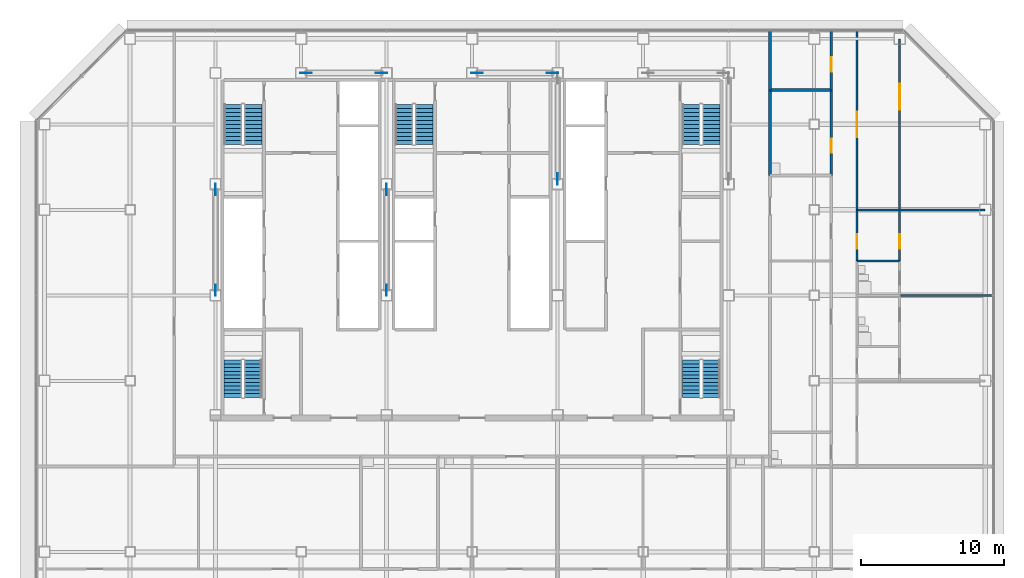
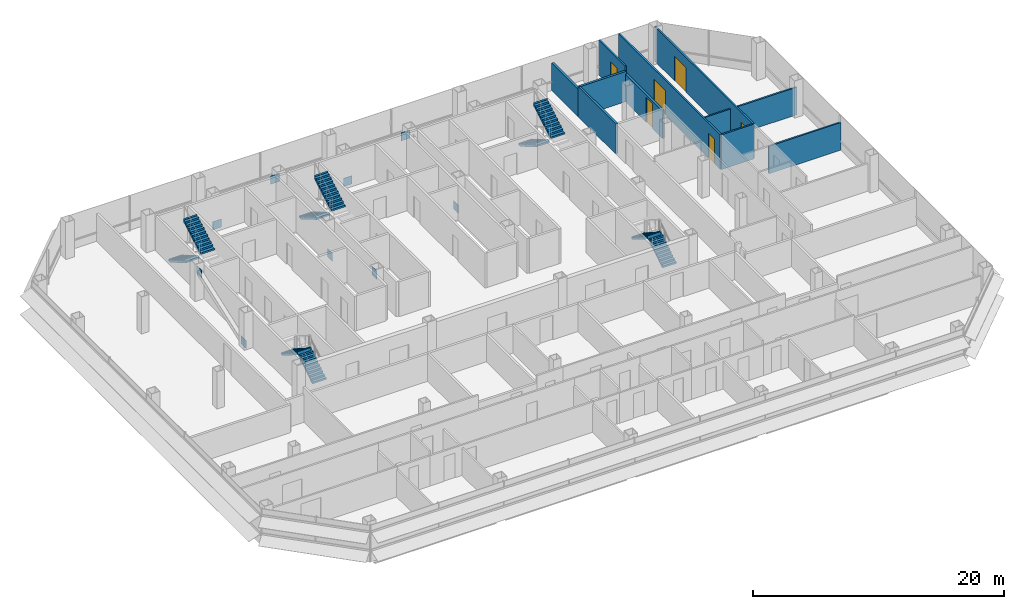
# One storey, part 23 of 26: 10 stair flights, 10 walls, 9 discrete accessories, 6 doors, 6 openings, 5 elements without a shape of their own.
"""IFC4 building model written with IfcOpenShell, lengths in metres."""

from ifc_helpers import new_model, si_unit, direction, frame, frame_2d, origin, origin_2d, place, context, subcontext, project, spatial, polyline, rectangle, outline, extrude, material, layer, layer_set, type_object, element, fill, aggregate, save


model = new_model("IFC4")

# Units and contexts
model_context = context("Model", 3, precision=1e-05, world=origin(), true_north=direction((0.0, 1.0)))
body_context = subcontext(model_context, "Body", "Model", "MODEL_VIEW")
ifc_project = project(units=[si_unit("LENGTHUNIT", "METRE"), si_unit("AREAUNIT", "SQUARE_METRE"), si_unit("VOLUMEUNIT", "CUBIC_METRE"), si_unit("PLANEANGLEUNIT", "RADIAN"), si_unit("MASSUNIT", "GRAM", prefix="KILO")], contexts=[model_context])

# Site, building, storey
site_placement = place(None, origin())
site = spatial("IfcSite", under=ifc_project, at=site_placement, CompositionType="ELEMENT")
building_placement = place(site_placement, origin())
building = spatial("IfcBuilding", under=site, at=building_placement, Name="Sorahane Residences", CompositionType="ELEMENT")
storey_placement = place(building_placement, frame((0.0, 0.0, 110.60009765625)))
storey = spatial("IfcBuildingStorey", under=building, at=storey_placement, Name="L24", CompositionType="ELEMENT", Elevation=110.60009765625)

# Walls
ifc_material_1 = material(Name="Concrete blockwork C20 wall", Category="masonry")
ifc_layer_1 = layer(ifc_material_1, 0.199951171875)
ifc_layer_set_1 = layer_set([ifc_layer_1], Name="Corridor wall 200 EI 120")
wall_type_1 = type_object("IfcWallType", Name="Corridor wall 200 EI 120", PredefinedType="SOLIDWALL", material=ifc_layer_set_1)
wall_1_placement = place(storey_placement, frame((44.89990234375, 44.39990234375, 0.0), z_axis=(0.0, 0.0, 1.0), x_axis=(0.0, 1.0, 0.0)))
element("IfcWall", 1, at=wall_1_placement, inside=storey, type_object=wall_type_1, Name="L24 corridor wall", PredefinedType="SOLIDWALL", context=body_context, shape_type="SweptSolid", body=[
    extrude(rectangle(XDim=4.2001953125, YDim=0.199951171875, at=frame_2d((2.10009765625, 0.0))), origin(), (0.0, 0.0, 1.0), 2.679931640625),
])
ifc_material_2 = material(Name="Concrete blockwork C20 wall", Category="masonry")
ifc_layer_2 = layer(ifc_material_2, 0.199951171875)
ifc_layer_set_2 = layer_set([ifc_layer_2], Name="Kitchen wall 200 EI 180")
wall_type_2 = type_object("IfcWallType", Name="Kitchen wall 200 EI 180", PredefinedType="SOLIDWALL", material=ifc_layer_set_2)
wall_2_placement = place(storey_placement, frame((44.89990234375, 38.39990234375, 0.0), z_axis=(0.0, 0.0, 1.0), x_axis=(0.0, 1.0, 0.0)))
element("IfcWall", 2, at=wall_2_placement, inside=storey, type_object=wall_type_2, Name="L24 kitchen wall", PredefinedType="SOLIDWALL", context=body_context, shape_type="SweptSolid", body=[
    extrude(rectangle(XDim=6.0, YDim=0.199951171875, at=frame_2d((3.0, 0.0))), origin(), (0.0, 0.0, 1.0), 2.929931640625),
])

# Wall, opening, door
wall_3_placement = place(storey_placement, frame((49.199951171875, 38.39990234375, 0.0), z_axis=(0.0, 0.0, 1.0), x_axis=(0.0, 1.0, 0.0)))
wall_3 = element("IfcWall", 3, at=wall_3_placement, inside=storey, type_object=wall_type_2, Name="L24 kitchen wall", PredefinedType="SOLIDWALL", context=body_context, shape_type="SweptSolid", body=[
    extrude(rectangle(XDim=6.0, YDim=0.199951171875, at=frame_2d((3.0, 0.0))), origin(), (0.0, 0.0, 1.0), 2.679931640625),
])
opening_1_placement = place(wall_3_placement, frame((1.60009765625, 0.0, 0.0)))
opening_1 = element("IfcOpeningElement", 4, at=opening_1_placement, cuts=wall_3, Name="Opening L24-33", PredefinedType="OPENING", context=body_context, shape_type="SweptSolid", body=[
    extrude(rectangle(XDim=1.0, YDim=2.39990234375, at=frame_2d((0.5, 1.199951171875))), frame((0.0, 0.10986328125, 0.0), z_axis=(0.0, -1.0, 0.0), x_axis=(1.0, 0.0, 0.0)), (0.0, 0.0, 1.0), 0.219970703125),
])
ifc_material_3 = material(Name="Steel", Category="steel")
door_type_1 = type_object("IfcDoorType", Name="Kitchen door 1000x2400 FD120", OperationType="NOTDEFINED", PredefinedType="DOOR", material=ifc_material_3)
door_1_placement = place(opening_1_placement, origin())
door_1 = element("IfcDoor", 5, at=door_1_placement, inside=storey, type_object=door_type_1, Name="Kitchen door L24-33", OperationType="SINGLE_SWING_LEFT", OverallHeight=2.39990234375, OverallWidth=1.0, PredefinedType="DOOR", context=body_context, shape_type="SweptSolid", body=[
    extrude(rectangle(XDim=1.0, YDim=2.39990234375, at=frame_2d((0.5, 1.199951171875))), frame((0.0, 0.02490234375, 0.0), z_axis=(0.0, -1.0, 0.0), x_axis=(1.0, 0.0, 0.0)), (0.0, 0.0, 1.0), 0.050048828125),
])
fill(opening_1, door_1)

# Wall
wall_4_placement = place(storey_placement, frame((44.89990234375, 44.39990234375, 0.0), z_axis=(0.0, 0.0, 1.0), x_axis=(1.0, 0.0, 0.0)))
element("IfcWall", 6, at=wall_4_placement, inside=storey, type_object=wall_type_2, Name="L24 kitchen wall", PredefinedType="SOLIDWALL", context=body_context, shape_type="SweptSolid", body=[
    extrude(rectangle(XDim=4.300048828125, YDim=0.199951171875, at=frame_2d((2.14990234375, 0.0))), origin(), (0.0, 0.0, 1.0), 2.929931640625),
])

# Wall, opening, door
ifc_material_4 = material(Name="Gypsum board partition on steel studs", Category="steel")
ifc_layer_3 = layer(ifc_material_4, 0.14990234375)
ifc_layer_set_3 = layer_set([ifc_layer_3], Name="Partition 150 EI 90")
wall_type_3 = type_object("IfcWallType", Name="Partition 150 EI 90", PredefinedType="PARTITIONING", material=ifc_layer_set_3)
wall_5_placement = place(storey_placement, frame((49.199951171875, 44.39990234375, 0.0), z_axis=(0.0, 0.0, 1.0), x_axis=(0.0, 1.0, 0.0)))
wall_5 = element("IfcWall", 7, at=wall_5_placement, inside=storey, type_object=wall_type_3, Name="L24 partition", PredefinedType="PARTITIONING", context=body_context, shape_type="SweptSolid", body=[
    extrude(rectangle(XDim=4.2001953125, YDim=0.14990234375, at=frame_2d((2.10009765625, 0.0))), origin(), (0.0, 0.0, 1.0), 3.3798828125),
])
opening_2_placement = place(wall_5_placement, frame((1.300048828125, 0.0, 0.0)))
opening_2 = element("IfcOpeningElement", 8, at=opening_2_placement, cuts=wall_5, Name="Opening L24-34", PredefinedType="OPENING", context=body_context, shape_type="SweptSolid", body=[
    extrude(rectangle(XDim=1.0, YDim=2.39990234375, at=frame_2d((0.5, 1.199951171875))), frame((0.0, 0.0849609375, 0.0), z_axis=(0.0, -1.0, 0.0), x_axis=(1.0, 0.0, 0.0)), (0.0, 0.0, 1.0), 0.169921875),
])
ifc_material_5 = material(Name="Timber veneered fire door", Category="wood")
door_type_2 = type_object("IfcDoorType", Name="Room door 1000x2400 FD30", OperationType="NOTDEFINED", PredefinedType="DOOR", material=ifc_material_5)
door_2_placement = place(opening_2_placement, origin())
door_2 = element("IfcDoor", 9, at=door_2_placement, inside=storey, type_object=door_type_2, Name="Room door L24-34", OperationType="SINGLE_SWING_LEFT", OverallHeight=2.39990234375, OverallWidth=1.0, PredefinedType="DOOR", context=body_context, shape_type="SweptSolid", body=[
    extrude(rectangle(XDim=1.0, YDim=2.39990234375, at=frame_2d((0.5, 1.199951171875))), frame((0.0, 0.02490234375, 0.0), z_axis=(0.0, -1.0, 0.0), x_axis=(1.0, 0.0, 0.0)), (0.0, 0.0, 1.0), 0.050048828125),
])
fill(opening_2, door_2)

# Wall, openings, doors
wall_6_placement = place(storey_placement, frame((51.0, 32.39990234375, 0.0), z_axis=(0.0, 0.0, 1.0), x_axis=(0.0, 1.0, 0.0)))
wall_6 = element("IfcWall", 10, at=wall_6_placement, inside=storey, type_object=wall_type_3, Name="L24 partition", PredefinedType="PARTITIONING", context=body_context, shape_type="SweptSolid", body=[
    extrude(rectangle(XDim=16.2001953125, YDim=0.14990234375, at=frame_2d((8.10009765625, 0.0))), origin(), (0.0, 0.0, 1.0), 3.3798828125),
])
opening_3_placement = place(wall_6_placement, frame((0.8798828125, 0.0, 0.0)))
opening_3 = element("IfcOpeningElement", 11, at=opening_3_placement, cuts=wall_6, Name="Opening L24-37", PredefinedType="OPENING", context=body_context, shape_type="SweptSolid", body=[
    extrude(rectangle(XDim=1.0, YDim=2.39990234375, at=frame_2d((0.5, 1.199951171875))), frame((0.0, 0.0849609375, 0.0), z_axis=(0.0, -1.0, 0.0), x_axis=(1.0, 0.0, 0.0)), (0.0, 0.0, 1.0), 0.169921875),
])
opening_4_placement = place(wall_6_placement, frame((8.699951171875, 0.0, 0.0)))
opening_4 = element("IfcOpeningElement", 12, at=opening_4_placement, cuts=wall_6, Name="Opening L24-38", PredefinedType="OPENING", context=body_context, shape_type="SweptSolid", body=[
    extrude(rectangle(XDim=1.800048828125, YDim=2.39990234375, at=frame_2d((0.89990234375, 1.199951171875))), frame((0.0, 0.0849609375, 0.0), z_axis=(0.0, -1.0, 0.0), x_axis=(1.0, 0.0, 0.0)), (0.0, 0.0, 1.0), 0.169921875),
])
ifc_material_6 = material(Name="Timber veneered fire door", Category="wood")
door_type_3 = type_object("IfcDoorType", Name="Double door 1800x2400 FD30", OperationType="NOTDEFINED", PredefinedType="DOOR", material=ifc_material_6)
door_3_placement = place(opening_4_placement, frame((1.800048828125, 0.0, 0.0), z_axis=(0.0, 0.0, 1.0), x_axis=(-1.0, 0.0, 0.0)))
door_3 = element("IfcDoor", 13, at=door_3_placement, inside=storey, type_object=door_type_3, Name="Double door L24-38", OperationType="SINGLE_SWING_LEFT", OverallHeight=2.39990234375, OverallWidth=1.800048828125, PredefinedType="DOOR", context=body_context, shape_type="SweptSolid", body=[
    extrude(rectangle(XDim=1.800048828125, YDim=2.39990234375, at=frame_2d((0.89990234375, 1.199951171875))), frame((0.0, 0.02490234375, 0.0), z_axis=(0.0, -1.0, 0.0), x_axis=(1.0, 0.0, 0.0)), (0.0, 0.0, 1.0), 0.050048828125),
])
fill(opening_4, door_3)
door_4_placement = place(opening_3_placement, frame((1.0, 0.0, 0.0), z_axis=(0.0, 0.0, 1.0), x_axis=(-1.0, 0.0, 0.0)))
door_4 = element("IfcDoor", 14, at=door_4_placement, inside=storey, type_object=door_type_2, Name="Room door L24-37", OperationType="SINGLE_SWING_LEFT", OverallHeight=2.39990234375, OverallWidth=1.0, PredefinedType="DOOR", context=body_context, shape_type="SweptSolid", body=[
    extrude(rectangle(XDim=1.0, YDim=2.39990234375, at=frame_2d((0.5, 1.199951171875))), frame((0.0, 0.02490234375, 0.0), z_axis=(0.0, -1.0, 0.0), x_axis=(1.0, 0.0, 0.0)), (0.0, 0.0, 1.0), 0.050048828125),
])
fill(opening_3, door_4)

wall_7_placement = place(storey_placement, frame((54.0, 32.39990234375, 0.0), z_axis=(0.0, 0.0, 1.0), x_axis=(0.0, 1.0, 0.0)))
wall_7 = element("IfcWall", 15, at=wall_7_placement, inside=storey, type_object=wall_type_3, Name="L24 partition", PredefinedType="PARTITIONING", context=body_context, shape_type="SweptSolid", body=[
    extrude(rectangle(XDim=15.60009765625, YDim=0.14990234375, at=frame_2d((7.800048828125, 0.0))), origin(), (0.0, 0.0, 1.0), 3.3798828125),
])
opening_5_placement = place(wall_7_placement, frame((0.8798828125, 0.0, 0.0)))
opening_5 = element("IfcOpeningElement", 16, at=opening_5_placement, cuts=wall_7, Name="Opening L24-41", PredefinedType="OPENING", context=body_context, shape_type="SweptSolid", body=[
    extrude(rectangle(XDim=1.0, YDim=2.39990234375, at=frame_2d((0.5, 1.199951171875))), frame((0.0, 0.0849609375, 0.0), z_axis=(0.0, -1.0, 0.0), x_axis=(1.0, 0.0, 0.0)), (0.0, 0.0, 1.0), 0.169921875),
])
opening_6_placement = place(wall_7_placement, frame((10.639892578125, 0.0, 0.0)))
opening_6 = element("IfcOpeningElement", 17, at=opening_6_placement, cuts=wall_7, Name="Opening L24-43", PredefinedType="OPENING", context=body_context, shape_type="SweptSolid", body=[
    extrude(rectangle(XDim=1.800048828125, YDim=2.39990234375, at=frame_2d((0.89990234375, 1.199951171875))), frame((0.0, 0.0849609375, 0.0), z_axis=(0.0, -1.0, 0.0), x_axis=(1.0, 0.0, 0.0)), (0.0, 0.0, 1.0), 0.169921875),
])
door_5_placement = place(opening_6_placement, frame((1.800048828125, 0.0, 0.0), z_axis=(0.0, 0.0, 1.0), x_axis=(-1.0, 0.0, 0.0)))
door_5 = element("IfcDoor", 18, at=door_5_placement, inside=storey, type_object=door_type_3, Name="Double door L24-43", OperationType="SINGLE_SWING_RIGHT", OverallHeight=2.39990234375, OverallWidth=1.800048828125, PredefinedType="DOOR", context=body_context, shape_type="SweptSolid", body=[
    extrude(rectangle(XDim=1.800048828125, YDim=2.39990234375, at=frame_2d((0.89990234375, 1.199951171875))), frame((0.0, 0.02490234375, 0.0), z_axis=(0.0, -1.0, 0.0), x_axis=(1.0, 0.0, 0.0)), (0.0, 0.0, 1.0), 0.050048828125),
])
fill(opening_6, door_5)
door_6_placement = place(opening_5_placement, frame((1.0, 0.0, 0.0), z_axis=(0.0, 0.0, 1.0), x_axis=(-1.0, 0.0, 0.0)))
door_6 = element("IfcDoor", 19, at=door_6_placement, inside=storey, type_object=door_type_2, Name="Room door L24-41", OperationType="SINGLE_SWING_RIGHT", OverallHeight=2.39990234375, OverallWidth=1.0, PredefinedType="DOOR", context=body_context, shape_type="SweptSolid", body=[
    extrude(rectangle(XDim=1.0, YDim=2.39990234375, at=frame_2d((0.5, 1.199951171875))), frame((0.0, 0.02490234375, 0.0), z_axis=(0.0, -1.0, 0.0), x_axis=(1.0, 0.0, 0.0)), (0.0, 0.0, 1.0), 0.050048828125),
])
fill(opening_5, door_6)

# Walls
wall_8_placement = place(storey_placement, frame((54.0, 30.0, 0.0), z_axis=(0.0, 0.0, 1.0), x_axis=(1.0, 0.0, 0.0)))
element("IfcWall", 20, at=wall_8_placement, inside=storey, type_object=wall_type_3, Name="L24 partition", PredefinedType="PARTITIONING", context=body_context, shape_type="SweptSolid", body=[
    extrude(rectangle(XDim=6.60009765625, YDim=0.14990234375, at=frame_2d((3.300048828125, 0.0))), origin(), (0.0, 0.0, 1.0), 2.679931640625),
])
wall_9_placement = place(storey_placement, frame((51.0, 36.0, 0.0), z_axis=(0.0, 0.0, 1.0), x_axis=(1.0, 0.0, 0.0)))
element("IfcWall", 21, at=wall_9_placement, inside=storey, type_object=wall_type_3, Name="L24 partition", PredefinedType="PARTITIONING", context=body_context, shape_type="SweptSolid", body=[
    extrude(rectangle(XDim=9.0, YDim=0.14990234375, at=frame_2d((4.5, 0.0))), origin(), (0.0, 0.0, 1.0), 2.679931640625),
])
ifc_material_7 = material(Name="Gypsum board partition on steel studs", Category="steel")
ifc_layer_4 = layer(ifc_material_7, 0.14990234375)
ifc_layer_set_4 = layer_set([ifc_layer_4], Name="Wet wall 150 EI 90")
wall_type_4 = type_object("IfcWallType", Name="Wet wall 150 EI 90", PredefinedType="PARTITIONING", material=ifc_layer_set_4)
wall_10_placement = place(storey_placement, frame((51.0, 32.39990234375, 0.0), z_axis=(0.0, 0.0, 1.0), x_axis=(1.0, 0.0, 0.0)))
element("IfcWall", 22, at=wall_10_placement, inside=storey, type_object=wall_type_4, Name="L24 wet wall", PredefinedType="PARTITIONING", context=body_context, shape_type="SweptSolid", body=[
    extrude(rectangle(XDim=3.0, YDim=0.14990234375, at=frame_2d((1.5, 0.0))), origin(), (0.0, 0.0, 1.0), 3.3798828125),
])

# Stair, stair flights
ifc_material_8 = material(Name="Concrete C40", Category="concrete")
stair_type = type_object("IfcStairType", Name="Dog-leg stair 1250 Concrete C40", PredefinedType="HALF_TURN_STAIR", material=ifc_material_8)
stair_1_placement = place(storey_placement, origin())
stair_1 = element("IfcStair", 23, at=stair_1_placement, inside=storey, type_object=stair_type, Name="L24 Stair S1", PredefinedType="HALF_TURN_STAIR")
ifc_material_9 = material(Name="Concrete C40", Category="concrete")
stair_flight_type = type_object("IfcStairFlightType", Name="Stair flight 1250 Concrete C40", PredefinedType="STRAIGHT", material=ifc_material_9)
stair_flight_1_placement = place(storey_placement, frame((7.22509765625, 43.39990234375, 0.0), z_axis=(0.0, 0.0, 1.0), x_axis=(0.0, -1.0, 0.0)))
stair_flight_1 = element("IfcStairFlight", 24, at=stair_flight_1_placement, type_object=stair_flight_type, Name="S1 flight 1", NumberOfRisers=11, NumberOfTreads=10, PredefinedType="STRAIGHT", RiserHeight=0.163636364, TreadLength=0.28, context=body_context, shape_type="SweptSolid", body=[
    extrude(outline(polyline([(-0.00146484375, 0.0), (-0.00146484375, 0.16357421875), (0.0, 0.16357421875), (0.280029296875, 0.16357421875), (0.280029296875, 0.327392578125), (0.56005859375, 0.327392578125), (0.56005859375, 0.490966796875), (0.840087890625, 0.490966796875), (0.840087890625, 0.654541015625), (1.1201171875, 0.654541015625), (1.1201171875, 0.818115234375), (1.39990234375, 0.818115234375), (1.39990234375, 0.98193359375), (1.679931640625, 0.98193359375), (1.679931640625, 1.1455078125), (1.9599609375, 1.1455078125), (1.9599609375, 1.30908203125), (2.239990234375, 1.30908203125), (2.239990234375, 1.47265625), (2.52001953125, 1.47265625), (2.52001953125, 1.636474609375), (2.800048828125, 1.636474609375), (2.800048828125, 1.800048828125), (2.800048828125, 1.462646484375), (2.59130859375, 1.3408203125), (2.3828125, 1.218994140625), (2.17431640625, 1.09716796875), (1.965576171875, 0.97509765625), (1.757080078125, 0.853271484375), (1.548583984375, 0.7314453125), (1.340087890625, 0.609375), (1.13134765625, 0.487548828125), (0.9228515625, 0.36572265625), (0.71435546875, 0.243896484375), (0.505615234375, 0.121826171875), (0.297119140625, 0.0), (-0.00146484375, 0.0)])), frame((0.0, 0.625, 0.0), z_axis=(0.0, -1.0, 0.0), x_axis=(1.0, 0.0, 0.0)), (0.0, 0.0, 1.0), 1.25),
])
stair_flight_2_placement = place(storey_placement, frame((8.625, 40.60009765625, 1.7998046875), z_axis=(0.0, 0.0, 1.0), x_axis=(0.0, 1.0, 0.0)))
stair_flight_2 = element("IfcStairFlight", 25, at=stair_flight_2_placement, type_object=stair_flight_type, Name="S1 flight 2", NumberOfRisers=11, NumberOfTreads=10, PredefinedType="STRAIGHT", RiserHeight=0.163636364, TreadLength=0.28, context=body_context, shape_type="SweptSolid", body=[
    extrude(outline(polyline([(0.0, 0.0), (0.0, 0.16357421875), (0.280029296875, 0.16357421875), (0.280029296875, 0.327392578125), (0.56005859375, 0.327392578125), (0.56005859375, 0.490966796875), (0.840087890625, 0.490966796875), (0.840087890625, 0.654541015625), (1.1201171875, 0.654541015625), (1.1201171875, 0.818115234375), (1.39990234375, 0.818115234375), (1.39990234375, 0.98193359375), (1.679931640625, 0.98193359375), (1.679931640625, 1.1455078125), (1.9599609375, 1.1455078125), (1.9599609375, 1.30908203125), (2.239990234375, 1.30908203125), (2.239990234375, 1.47265625), (2.52001953125, 1.47265625), (2.52001953125, 1.636474609375), (2.800048828125, 1.636474609375), (2.800048828125, 1.800048828125), (2.801513671875, 1.800048828125), (2.801513671875, 1.462646484375), (2.5927734375, 1.3408203125), (2.384033203125, 1.218994140625), (2.17529296875, 1.09716796875), (1.966796875, 0.97509765625), (1.758056640625, 0.853271484375), (1.54931640625, 0.7314453125), (1.340576171875, 0.609375), (1.1318359375, 0.487548828125), (0.923095703125, 0.36572265625), (0.714599609375, 0.243896484375), (0.505859375, 0.121826171875), (0.297119140625, 0.0), (0.0, 0.0)])), frame((0.0, 0.625, 0.0), z_axis=(0.0, -1.0, 0.0), x_axis=(1.0, 0.0, 0.0)), (0.0, 0.0, 1.0), 1.25),
])
aggregate(stair_1, [stair_flight_1, stair_flight_2])

stair_2_placement = place(storey_placement, origin())
stair_2 = element("IfcStair", 26, at=stair_2_placement, inside=storey, type_object=stair_type, Name="L24 Stair S2", PredefinedType="HALF_TURN_STAIR")
stair_flight_3_placement = place(storey_placement, frame((39.375, 43.39990234375, 0.0), z_axis=(0.0, 0.0, 1.0), x_axis=(0.0, -1.0, 0.0)))
stair_flight_3 = element("IfcStairFlight", 27, at=stair_flight_3_placement, type_object=stair_flight_type, Name="S2 flight 1", NumberOfRisers=11, NumberOfTreads=10, PredefinedType="STRAIGHT", RiserHeight=0.163636364, TreadLength=0.28, context=body_context, shape_type="SweptSolid", body=[
    extrude(outline(polyline([(-0.00146484375, 0.0), (-0.00146484375, 0.16357421875), (0.0, 0.16357421875), (0.280029296875, 0.16357421875), (0.280029296875, 0.327392578125), (0.56005859375, 0.327392578125), (0.56005859375, 0.490966796875), (0.840087890625, 0.490966796875), (0.840087890625, 0.654541015625), (1.1201171875, 0.654541015625), (1.1201171875, 0.818115234375), (1.39990234375, 0.818115234375), (1.39990234375, 0.98193359375), (1.679931640625, 0.98193359375), (1.679931640625, 1.1455078125), (1.9599609375, 1.1455078125), (1.9599609375, 1.30908203125), (2.239990234375, 1.30908203125), (2.239990234375, 1.47265625), (2.52001953125, 1.47265625), (2.52001953125, 1.636474609375), (2.800048828125, 1.636474609375), (2.800048828125, 1.800048828125), (2.800048828125, 1.462646484375), (2.59130859375, 1.3408203125), (2.3828125, 1.218994140625), (2.17431640625, 1.09716796875), (1.965576171875, 0.97509765625), (1.757080078125, 0.853271484375), (1.548583984375, 0.7314453125), (1.340087890625, 0.609375), (1.13134765625, 0.487548828125), (0.9228515625, 0.36572265625), (0.71435546875, 0.243896484375), (0.505615234375, 0.121826171875), (0.297119140625, 0.0), (-0.00146484375, 0.0)])), frame((0.0, 0.625, 0.0), z_axis=(0.0, -1.0, 0.0), x_axis=(1.0, 0.0, 0.0)), (0.0, 0.0, 1.0), 1.25),
])
stair_flight_4_placement = place(storey_placement, frame((40.77490234375, 40.60009765625, 1.7998046875), z_axis=(0.0, 0.0, 1.0), x_axis=(0.0, 1.0, 0.0)))
stair_flight_4 = element("IfcStairFlight", 28, at=stair_flight_4_placement, type_object=stair_flight_type, Name="S2 flight 2", NumberOfRisers=11, NumberOfTreads=10, PredefinedType="STRAIGHT", RiserHeight=0.163636364, TreadLength=0.28, context=body_context, shape_type="SweptSolid", body=[
    extrude(outline(polyline([(0.0, 0.0), (0.0, 0.16357421875), (0.280029296875, 0.16357421875), (0.280029296875, 0.327392578125), (0.56005859375, 0.327392578125), (0.56005859375, 0.490966796875), (0.840087890625, 0.490966796875), (0.840087890625, 0.654541015625), (1.1201171875, 0.654541015625), (1.1201171875, 0.818115234375), (1.39990234375, 0.818115234375), (1.39990234375, 0.98193359375), (1.679931640625, 0.98193359375), (1.679931640625, 1.1455078125), (1.9599609375, 1.1455078125), (1.9599609375, 1.30908203125), (2.239990234375, 1.30908203125), (2.239990234375, 1.47265625), (2.52001953125, 1.47265625), (2.52001953125, 1.636474609375), (2.800048828125, 1.636474609375), (2.800048828125, 1.800048828125), (2.801513671875, 1.800048828125), (2.801513671875, 1.462646484375), (2.5927734375, 1.3408203125), (2.384033203125, 1.218994140625), (2.17529296875, 1.09716796875), (1.966796875, 0.97509765625), (1.758056640625, 0.853271484375), (1.54931640625, 0.7314453125), (1.340576171875, 0.609375), (1.1318359375, 0.487548828125), (0.923095703125, 0.36572265625), (0.714599609375, 0.243896484375), (0.505859375, 0.121826171875), (0.297119140625, 0.0), (0.0, 0.0)])), frame((0.0, 0.625, 0.0), z_axis=(0.0, -1.0, 0.0), x_axis=(1.0, 0.0, 0.0)), (0.0, 0.0, 1.0), 1.25),
])
aggregate(stair_2, [stair_flight_3, stair_flight_4])

stair_3_placement = place(storey_placement, origin())
stair_3 = element("IfcStair", 29, at=stair_3_placement, inside=storey, type_object=stair_type, Name="L24 Stair S3", PredefinedType="HALF_TURN_STAIR")
stair_flight_5_placement = place(storey_placement, frame((19.22509765625, 43.39990234375, 0.0), z_axis=(0.0, 0.0, 1.0), x_axis=(0.0, -1.0, 0.0)))
stair_flight_5 = element("IfcStairFlight", 30, at=stair_flight_5_placement, type_object=stair_flight_type, Name="S3 flight 1", NumberOfRisers=11, NumberOfTreads=10, PredefinedType="STRAIGHT", RiserHeight=0.163636364, TreadLength=0.28, context=body_context, shape_type="SweptSolid", body=[
    extrude(outline(polyline([(-0.00146484375, 0.0), (-0.00146484375, 0.16357421875), (0.0, 0.16357421875), (0.280029296875, 0.16357421875), (0.280029296875, 0.327392578125), (0.56005859375, 0.327392578125), (0.56005859375, 0.490966796875), (0.840087890625, 0.490966796875), (0.840087890625, 0.654541015625), (1.1201171875, 0.654541015625), (1.1201171875, 0.818115234375), (1.39990234375, 0.818115234375), (1.39990234375, 0.98193359375), (1.679931640625, 0.98193359375), (1.679931640625, 1.1455078125), (1.9599609375, 1.1455078125), (1.9599609375, 1.30908203125), (2.239990234375, 1.30908203125), (2.239990234375, 1.47265625), (2.52001953125, 1.47265625), (2.52001953125, 1.636474609375), (2.800048828125, 1.636474609375), (2.800048828125, 1.800048828125), (2.800048828125, 1.462646484375), (2.59130859375, 1.3408203125), (2.3828125, 1.218994140625), (2.17431640625, 1.09716796875), (1.965576171875, 0.97509765625), (1.757080078125, 0.853271484375), (1.548583984375, 0.7314453125), (1.340087890625, 0.609375), (1.13134765625, 0.487548828125), (0.9228515625, 0.36572265625), (0.71435546875, 0.243896484375), (0.505615234375, 0.121826171875), (0.297119140625, 0.0), (-0.00146484375, 0.0)])), frame((0.0, 0.625, 0.0), z_axis=(0.0, -1.0, 0.0), x_axis=(1.0, 0.0, 0.0)), (0.0, 0.0, 1.0), 1.25),
])
stair_flight_6_placement = place(storey_placement, frame((20.625, 40.60009765625, 1.7998046875), z_axis=(0.0, 0.0, 1.0), x_axis=(0.0, 1.0, 0.0)))
stair_flight_6 = element("IfcStairFlight", 31, at=stair_flight_6_placement, type_object=stair_flight_type, Name="S3 flight 2", NumberOfRisers=11, NumberOfTreads=10, PredefinedType="STRAIGHT", RiserHeight=0.163636364, TreadLength=0.28, context=body_context, shape_type="SweptSolid", body=[
    extrude(outline(polyline([(0.0, 0.0), (0.0, 0.16357421875), (0.280029296875, 0.16357421875), (0.280029296875, 0.327392578125), (0.56005859375, 0.327392578125), (0.56005859375, 0.490966796875), (0.840087890625, 0.490966796875), (0.840087890625, 0.654541015625), (1.1201171875, 0.654541015625), (1.1201171875, 0.818115234375), (1.39990234375, 0.818115234375), (1.39990234375, 0.98193359375), (1.679931640625, 0.98193359375), (1.679931640625, 1.1455078125), (1.9599609375, 1.1455078125), (1.9599609375, 1.30908203125), (2.239990234375, 1.30908203125), (2.239990234375, 1.47265625), (2.52001953125, 1.47265625), (2.52001953125, 1.636474609375), (2.800048828125, 1.636474609375), (2.800048828125, 1.800048828125), (2.801513671875, 1.800048828125), (2.801513671875, 1.462646484375), (2.5927734375, 1.3408203125), (2.384033203125, 1.218994140625), (2.17529296875, 1.09716796875), (1.966796875, 0.97509765625), (1.758056640625, 0.853271484375), (1.54931640625, 0.7314453125), (1.340576171875, 0.609375), (1.1318359375, 0.487548828125), (0.923095703125, 0.36572265625), (0.714599609375, 0.243896484375), (0.505859375, 0.121826171875), (0.297119140625, 0.0), (0.0, 0.0)])), frame((0.0, 0.625, 0.0), z_axis=(0.0, -1.0, 0.0), x_axis=(1.0, 0.0, 0.0)), (0.0, 0.0, 1.0), 1.25),
])
aggregate(stair_3, [stair_flight_5, stair_flight_6])

stair_4_placement = place(storey_placement, origin())
stair_4 = element("IfcStair", 32, at=stair_4_placement, inside=storey, type_object=stair_type, Name="L24 Stair S4", PredefinedType="HALF_TURN_STAIR")
stair_flight_7_placement = place(storey_placement, frame((8.625, 22.85009765625, 0.0), z_axis=(0.0, 0.0, 1.0), x_axis=(0.0, 1.0, 0.0)))
stair_flight_7 = element("IfcStairFlight", 33, at=stair_flight_7_placement, type_object=stair_flight_type, Name="S4 flight 1", NumberOfRisers=11, NumberOfTreads=10, PredefinedType="STRAIGHT", RiserHeight=0.163636364, TreadLength=0.26, context=body_context, shape_type="SweptSolid", body=[
    extrude(outline(polyline([(-0.00146484375, 0.0), (-0.00146484375, 0.16357421875), (0.0, 0.16357421875), (0.260009765625, 0.16357421875), (0.260009765625, 0.327392578125), (0.52001953125, 0.327392578125), (0.52001953125, 0.490966796875), (0.780029296875, 0.490966796875), (0.780029296875, 0.654541015625), (1.0400390625, 0.654541015625), (1.0400390625, 0.818115234375), (1.300048828125, 0.818115234375), (1.300048828125, 0.98193359375), (1.56005859375, 0.98193359375), (1.56005859375, 1.1455078125), (1.820068359375, 1.1455078125), (1.820068359375, 1.30908203125), (2.080078125, 1.30908203125), (2.080078125, 1.47265625), (2.340087890625, 1.47265625), (2.340087890625, 1.636474609375), (2.60009765625, 1.636474609375), (2.60009765625, 1.800048828125), (2.60009765625, 1.494384765625), (2.402099609375, 1.369873046875), (2.204345703125, 1.245361328125), (2.00634765625, 1.120849609375), (1.80859375, 0.996337890625), (1.610595703125, 0.871826171875), (1.412841796875, 0.747314453125), (1.21484375, 0.622802734375), (1.01708984375, 0.498046875), (0.819091796875, 0.37353515625), (0.621337890625, 0.2490234375), (0.42333984375, 0.12451171875), (0.2255859375, 0.0), (-0.00146484375, 0.0)])), frame((0.0, 0.625, 0.0), z_axis=(0.0, -1.0, 0.0), x_axis=(1.0, 0.0, 0.0)), (0.0, 0.0, 1.0), 1.25),
])
stair_flight_8_placement = place(storey_placement, frame((7.22509765625, 25.449951171875, 1.7998046875), z_axis=(0.0, 0.0, 1.0), x_axis=(0.0, -1.0, 0.0)))
stair_flight_8 = element("IfcStairFlight", 34, at=stair_flight_8_placement, type_object=stair_flight_type, Name="S4 flight 2", NumberOfRisers=11, NumberOfTreads=10, PredefinedType="STRAIGHT", RiserHeight=0.163636364, TreadLength=0.26, context=body_context, shape_type="SweptSolid", body=[
    extrude(outline(polyline([(0.0, 0.0), (0.0, 0.16357421875), (0.260009765625, 0.16357421875), (0.260009765625, 0.327392578125), (0.52001953125, 0.327392578125), (0.52001953125, 0.490966796875), (0.780029296875, 0.490966796875), (0.780029296875, 0.654541015625), (1.0400390625, 0.654541015625), (1.0400390625, 0.818115234375), (1.300048828125, 0.818115234375), (1.300048828125, 0.98193359375), (1.56005859375, 0.98193359375), (1.56005859375, 1.1455078125), (1.820068359375, 1.1455078125), (1.820068359375, 1.30908203125), (2.080078125, 1.30908203125), (2.080078125, 1.47265625), (2.340087890625, 1.47265625), (2.340087890625, 1.636474609375), (2.60009765625, 1.636474609375), (2.60009765625, 1.800048828125), (2.6015625, 1.800048828125), (2.6015625, 1.494384765625), (2.403564453125, 1.369873046875), (2.20556640625, 1.245361328125), (2.007568359375, 1.120849609375), (1.8095703125, 0.996337890625), (1.611572265625, 0.871826171875), (1.41357421875, 0.747314453125), (1.215576171875, 0.622802734375), (1.017578125, 0.498046875), (0.819580078125, 0.37353515625), (0.62158203125, 0.2490234375), (0.423583984375, 0.12451171875), (0.2255859375, 0.0), (0.0, 0.0)])), frame((0.0, 0.625, 0.0), z_axis=(0.0, -1.0, 0.0), x_axis=(1.0, 0.0, 0.0)), (0.0, 0.0, 1.0), 1.25),
])
aggregate(stair_4, [stair_flight_7, stair_flight_8])

stair_5_placement = place(storey_placement, origin())
stair_5 = element("IfcStair", 35, at=stair_5_placement, inside=storey, type_object=stair_type, Name="L24 Stair S5", PredefinedType="HALF_TURN_STAIR")
stair_flight_9_placement = place(storey_placement, frame((40.77490234375, 22.85009765625, 0.0), z_axis=(0.0, 0.0, 1.0), x_axis=(0.0, 1.0, 0.0)))
stair_flight_9 = element("IfcStairFlight", 36, at=stair_flight_9_placement, type_object=stair_flight_type, Name="S5 flight 1", NumberOfRisers=11, NumberOfTreads=10, PredefinedType="STRAIGHT", RiserHeight=0.163636364, TreadLength=0.26, context=body_context, shape_type="SweptSolid", body=[
    extrude(outline(polyline([(-0.00146484375, 0.0), (-0.00146484375, 0.16357421875), (0.0, 0.16357421875), (0.260009765625, 0.16357421875), (0.260009765625, 0.327392578125), (0.52001953125, 0.327392578125), (0.52001953125, 0.490966796875), (0.780029296875, 0.490966796875), (0.780029296875, 0.654541015625), (1.0400390625, 0.654541015625), (1.0400390625, 0.818115234375), (1.300048828125, 0.818115234375), (1.300048828125, 0.98193359375), (1.56005859375, 0.98193359375), (1.56005859375, 1.1455078125), (1.820068359375, 1.1455078125), (1.820068359375, 1.30908203125), (2.080078125, 1.30908203125), (2.080078125, 1.47265625), (2.340087890625, 1.47265625), (2.340087890625, 1.636474609375), (2.60009765625, 1.636474609375), (2.60009765625, 1.800048828125), (2.60009765625, 1.494384765625), (2.402099609375, 1.369873046875), (2.204345703125, 1.245361328125), (2.00634765625, 1.120849609375), (1.80859375, 0.996337890625), (1.610595703125, 0.871826171875), (1.412841796875, 0.747314453125), (1.21484375, 0.622802734375), (1.01708984375, 0.498046875), (0.819091796875, 0.37353515625), (0.621337890625, 0.2490234375), (0.42333984375, 0.12451171875), (0.2255859375, 0.0), (-0.00146484375, 0.0)])), frame((0.0, 0.625, 0.0), z_axis=(0.0, -1.0, 0.0), x_axis=(1.0, 0.0, 0.0)), (0.0, 0.0, 1.0), 1.25),
])
stair_flight_10_placement = place(storey_placement, frame((39.375, 25.449951171875, 1.7998046875), z_axis=(0.0, 0.0, 1.0), x_axis=(0.0, -1.0, 0.0)))
stair_flight_10 = element("IfcStairFlight", 37, at=stair_flight_10_placement, type_object=stair_flight_type, Name="S5 flight 2", NumberOfRisers=11, NumberOfTreads=10, PredefinedType="STRAIGHT", RiserHeight=0.163636364, TreadLength=0.26, context=body_context, shape_type="SweptSolid", body=[
    extrude(outline(polyline([(0.0, 0.0), (0.0, 0.16357421875), (0.260009765625, 0.16357421875), (0.260009765625, 0.327392578125), (0.52001953125, 0.327392578125), (0.52001953125, 0.490966796875), (0.780029296875, 0.490966796875), (0.780029296875, 0.654541015625), (1.0400390625, 0.654541015625), (1.0400390625, 0.818115234375), (1.300048828125, 0.818115234375), (1.300048828125, 0.98193359375), (1.56005859375, 0.98193359375), (1.56005859375, 1.1455078125), (1.820068359375, 1.1455078125), (1.820068359375, 1.30908203125), (2.080078125, 1.30908203125), (2.080078125, 1.47265625), (2.340087890625, 1.47265625), (2.340087890625, 1.636474609375), (2.60009765625, 1.636474609375), (2.60009765625, 1.800048828125), (2.6015625, 1.800048828125), (2.6015625, 1.494384765625), (2.403564453125, 1.369873046875), (2.20556640625, 1.245361328125), (2.007568359375, 1.120849609375), (1.8095703125, 0.996337890625), (1.611572265625, 0.871826171875), (1.41357421875, 0.747314453125), (1.215576171875, 0.622802734375), (1.017578125, 0.498046875), (0.819580078125, 0.37353515625), (0.62158203125, 0.2490234375), (0.423583984375, 0.12451171875), (0.2255859375, 0.0), (0.0, 0.0)])), frame((0.0, 0.625, 0.0), z_axis=(0.0, -1.0, 0.0), x_axis=(1.0, 0.0, 0.0)), (0.0, 0.0, 1.0), 1.25),
])
aggregate(stair_5, [stair_flight_9, stair_flight_10])

# Discrete accessories
ifc_material_10 = material(Name="Steel Q355B", Category="steel")
ifc_layer_5 = layer(ifc_material_10, 0.02490234375)
ifc_layer_set_5 = layer_set([ifc_layer_5], Name="Node plate Steel Q355B 25")
discrete_accessory_type = type_object("IfcDiscreteAccessoryType", Name="Node plate Steel Q355B 25", PredefinedType="BRACKET", material=ifc_layer_set_5)
for number, where, z_axis, x_axis, name in (
    (38, (6.0, 30.359130859375, -0.21484375), (0.0, 0.0, 1.0), (0.0, 1.0, 0.0), "Node plate L24 br"),
    (39, (6.0, 37.44091796875, 2.3447265625), (0.0, 0.0, 1.0), (0.0, 1.0, 0.0), "Node plate L24 br"),
    (40, (18.0, 37.44091796875, -0.21484375), (0.0, 0.0, 1.0), (0.0, 1.0, 0.0), "Node plate L24 br"),
    (41, (18.0, 30.359130859375, 2.3447265625), (0.0, 0.0, 1.0), (0.0, 1.0, 0.0), "Node plate L24 br"),
    (42, (30.0, 38.1591796875, -0.21484375), (0.0, 0.0, 1.0), (0.0, 1.0, 0.0), "Node plate L24 br"),
    (43, (12.347412109375, 45.60009765625, -0.2255859375), (0.0, 0.0, 1.0), (1.0, 0.0, 0.0), "Node plate L24 br"),
    (44, (24.347412109375, 45.60009765625, -0.2255859375), (0.0, 0.0, 1.0), (1.0, 0.0, 0.0), "Node plate L24 br"),
    (45, (17.652587890625, 45.60009765625, 2.35546875), (0.0, 0.0, 1.0), (1.0, 0.0, 0.0), "Node plate L24 br"),
    (46, (29.652587890625, 45.60009765625, 2.35546875), (0.0, 0.0, 1.0), (1.0, 0.0, 0.0), "Node plate L24 br"),
):
    element("IfcDiscreteAccessory", number, at=place(storey_placement, frame(where, z_axis=z_axis, x_axis=x_axis)), inside=storey, type_object=discrete_accessory_type, Name=name, PredefinedType="BRACKET", context=body_context, shape_type="SweptSolid", body=[
        extrude(rectangle(XDim=0.800048828125, YDim=0.02490234375, at=origin_2d()), origin(), (0.0, 0.0, 1.0), 0.800048828125),
    ])

save(model, "model.ifc")
